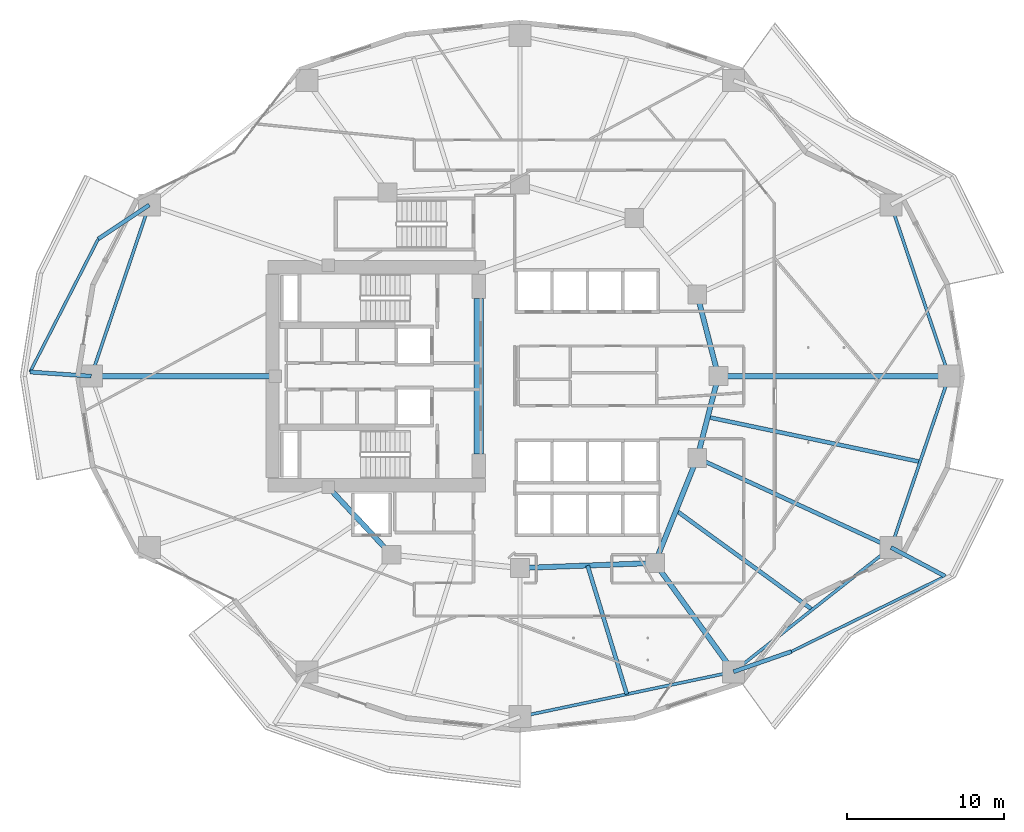
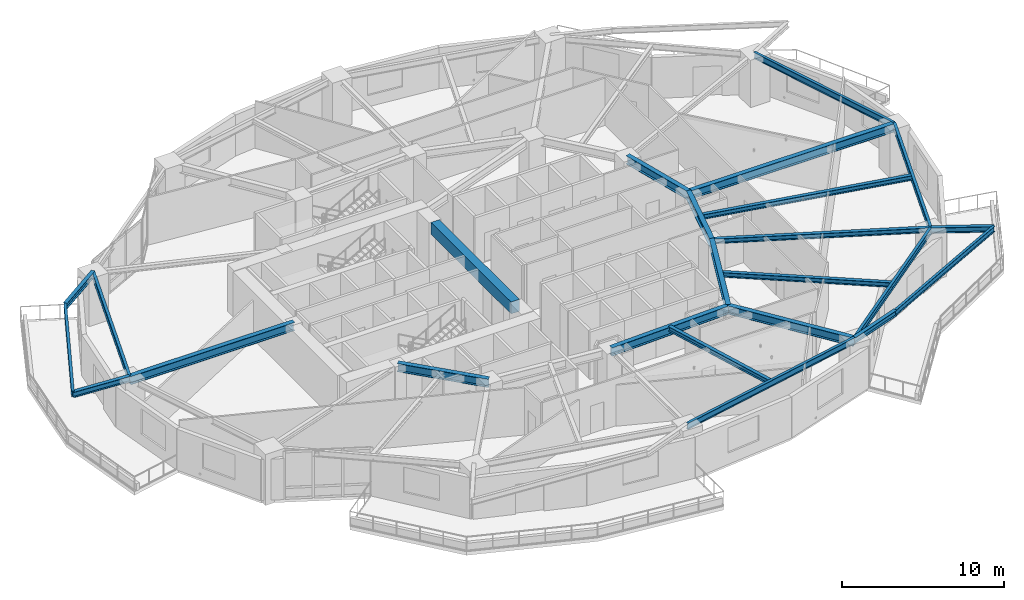
# One storey, part 3 of 19: 24 beams.
"""IFC4 building model written with IfcOpenShell, lengths in metres."""

from ifc_helpers import new_model, si_unit, direction, frame, origin, origin_2d, place, context, subcontext, project, spatial, rectangle, i_section, extrude, material, material_profile, profile_set, type_object, element, save


model = new_model("IFC4")

# Units and contexts
model_context = context("Model", 3, precision=1e-05, world=origin(), true_north=direction((0.0, 1.0)))
body_context = subcontext(model_context, "Body", "Model", "MODEL_VIEW")
ifc_project = project(units=[si_unit("LENGTHUNIT", "METRE"), si_unit("AREAUNIT", "SQUARE_METRE"), si_unit("VOLUMEUNIT", "CUBIC_METRE"), si_unit("PLANEANGLEUNIT", "RADIAN"), si_unit("MASSUNIT", "GRAM", prefix="KILO")], contexts=[model_context])

# Site, building, storey
site_placement = place(None, origin())
site = spatial("IfcSite", under=ifc_project, at=site_placement, CompositionType="ELEMENT")
building_placement = place(site_placement, origin())
building = spatial("IfcBuilding", under=site, at=building_placement, Name="Kolvaren Gate Tower and Convention Centre", CompositionType="ELEMENT")
storey_placement = place(building_placement, frame((0.0, 0.0, 38.050048828125)))
storey = spatial("IfcBuildingStorey", under=building, at=storey_placement, Name="L08", CompositionType="ELEMENT", Elevation=38.050048828125)

# Beams
ifc_material_1 = material(Name="Structural steel ASTM A992 Grade 345 MPa", Category="steel")
ifc_material_profile_1 = material_profile(ifc_material_1, i_section(OverallWidth=0.260009765625, OverallDepth=0.419921875, WebThickness=0.013427734375, FlangeThickness=0.0224609375, at=origin_2d()), Name="W410X132")
ifc_profile_set_1 = profile_set([ifc_material_profile_1], Name="Structural steel ASTM A992 Grade 345 MPa")
beam_type_1 = type_object("IfcBeamType", Name="STR-BM-W410X132", PredefinedType="BEAM", material=ifc_profile_set_1)
beam_1_placement = place(storey_placement, frame((6.539794921875, 37.8935546875, 3.3603515625), z_axis=(-0.831587723286, -0.555393426753, 0.0), x_axis=(0.555393426753, -0.831587723286, 0.0)))
element("IfcBeam", 1, at=beam_1_placement, inside=storey, type_object=beam_type_1, Name="Tower L09 Planted Balcony Outrigger Cantilever BC-2A", PredefinedType="BEAM", context=body_context, shape_type="SweptSolid", body=[
    extrude(i_section(OverallWidth=0.260009765625, OverallDepth=0.419921875, WebThickness=0.013427734375, FlangeThickness=0.0224609375, at=origin_2d()), origin(), (0.0, 0.0, 1.0), 3.89990234375),
])
beam_2_placement = place(storey_placement, frame((2.85009765625, 27.0, 3.3603515625), z_axis=(-0.997678089324, 0.068106020905, 0.0), x_axis=(-0.068106020905, -0.997678089324, 0.0)))
element("IfcBeam", 2, at=beam_2_placement, inside=storey, type_object=beam_type_1, Name="Tower L09 Planted Balcony Outrigger Cantilever BC-2B", PredefinedType="BEAM", context=body_context, shape_type="SweptSolid", body=[
    extrude(i_section(OverallWidth=0.260009765625, OverallDepth=0.419921875, WebThickness=0.013427734375, FlangeThickness=0.0224609375, at=origin_2d()), origin(), (0.0, 0.0, 1.0), 3.900146484375),
])
beam_3_placement = place(storey_placement, frame((43.690185546875, 8.20361328125, 3.3603515625), z_axis=(0.943988090262, 0.329979522765, 0.0), x_axis=(-0.329979522765, 0.943988090262, 0.0)))
element("IfcBeam", 3, at=beam_3_placement, inside=storey, type_object=beam_type_1, Name="Tower L09 Planted Balcony Outrigger Cantilever BC-4A", PredefinedType="BEAM", context=body_context, shape_type="SweptSolid", body=[
    extrude(i_section(OverallWidth=0.260009765625, OverallDepth=0.419921875, WebThickness=0.013427734375, FlangeThickness=0.0224609375, at=origin_2d()), origin(), (0.0, 0.0, 1.0), 3.89990234375),
])
beam_4_placement = place(storey_placement, frame((53.710205078125, 16.1064453125, 3.3603515625), z_axis=(0.882875702385, -0.469606744136, 0.0), x_axis=(0.469606744136, 0.882875702385, 0.0)))
element("IfcBeam", 4, at=beam_4_placement, inside=storey, type_object=beam_type_1, Name="Tower L09 Planted Balcony Outrigger Cantilever BC-4B", PredefinedType="BEAM", context=body_context, shape_type="SweptSolid", body=[
    extrude(i_section(OverallWidth=0.260009765625, OverallDepth=0.419921875, WebThickness=0.013427734375, FlangeThickness=0.0224609375, at=origin_2d()), origin(), (0.0, 0.0, 1.0), 3.900146484375),
])
ifc_material_profile_2 = material_profile(ifc_material_1, i_section(OverallWidth=0.327880859375, OverallDepth=0.6279296875, WebThickness=0.0166015625, FlangeThickness=0.027587890625, at=origin_2d()), Name="W610X217")
ifc_profile_set_2 = profile_set([ifc_material_profile_2], Name="Structural steel ASTM A992 Grade 345 MPa")
beam_type_2 = type_object("IfcBeamType", Name="STR-BM-W610X217", PredefinedType="BEAM", material=ifc_profile_set_2)
beam_5_placement = place(storey_placement, frame((42.72509765625, 27.0, 3.255859375), z_axis=(-0.250091133936, -0.968222301296, 0.0), x_axis=(0.968222301296, -0.250091133936, 0.0)))
element("IfcBeam", 5, at=beam_5_placement, inside=storey, type_object=beam_type_2, Name="Tower L08 Primary Ring Girder G-01", PredefinedType="BEAM", context=body_context, shape_type="SweptSolid", body=[
    extrude(i_section(OverallWidth=0.327880859375, OverallDepth=0.6279296875, WebThickness=0.0166015625, FlangeThickness=0.027587890625, at=origin_2d()), origin(), (0.0, 0.0, 1.0), 5.3701171875),
])
beam_6_placement = place(storey_placement, frame((17.9140625, 19.949951171875, 3.255859375), z_axis=(0.682557592987, -0.730831808459, 0.0), x_axis=(0.730831808459, 0.682557592987, 0.0)))
element("IfcBeam", 6, at=beam_6_placement, inside=storey, type_object=beam_type_2, Name="Tower L08 Primary Ring Girder G-06", PredefinedType="BEAM", context=body_context, shape_type="SweptSolid", body=[
    extrude(i_section(OverallWidth=0.327880859375, OverallDepth=0.6279296875, WebThickness=0.0166015625, FlangeThickness=0.027587890625, at=origin_2d()), origin(), (0.0, 0.0, 1.0), 5.88671875),
])
beam_7_placement = place(storey_placement, frame((30.125, 14.800048828125, 3.255859375), z_axis=(0.999301712453, 0.037364254142, 0.0), x_axis=(-0.037364254142, 0.999301712453, 0.0)))
element("IfcBeam", 7, at=beam_7_placement, inside=storey, type_object=beam_type_2, Name="Tower L08 Primary Ring Girder G-08", PredefinedType="BEAM", context=body_context, shape_type="SweptSolid", body=[
    extrude(i_section(OverallWidth=0.327880859375, OverallDepth=0.6279296875, WebThickness=0.0166015625, FlangeThickness=0.027587890625, at=origin_2d()), origin(), (0.0, 0.0, 1.0), 8.579345703125),
])
beam_8_placement = place(storey_placement, frame((38.6982421875, 15.12060546875, 3.255859375), z_axis=(0.372811100169, 0.927907260232, 0.0), x_axis=(-0.927907260232, 0.372811100169, 0.0)))
element("IfcBeam", 8, at=beam_8_placement, inside=storey, type_object=beam_type_2, Name="Tower L08 Primary Ring Girder G-09", PredefinedType="BEAM", context=body_context, shape_type="SweptSolid", body=[
    extrude(i_section(OverallWidth=0.327880859375, OverallDepth=0.6279296875, WebThickness=0.0166015625, FlangeThickness=0.027587890625, at=origin_2d()), origin(), (0.0, 0.0, 1.0), 7.198974609375),
])
beam_9_placement = place(storey_placement, frame((42.72509765625, 27.0, 3.255859375), z_axis=(-0.250091133936, 0.968222301296, 0.0), x_axis=(-0.968222301296, -0.250091133936, 0.0)))
element("IfcBeam", 9, at=beam_9_placement, inside=storey, type_object=beam_type_2, Name="Tower L08 Primary Ring Girder G-12", PredefinedType="BEAM", context=body_context, shape_type="SweptSolid", body=[
    extrude(i_section(OverallWidth=0.327880859375, OverallDepth=0.6279296875, WebThickness=0.0166015625, FlangeThickness=0.027587890625, at=origin_2d()), origin(), (0.0, 0.0, 1.0), 5.3701171875),
])
beam_10_placement = place(storey_placement, frame((42.72509765625, 27.0, 3.255859375), z_axis=(1.0, 0.0, 0.0), x_axis=(0.0, 1.0, 0.0)))
element("IfcBeam", 10, at=beam_10_placement, inside=storey, type_object=beam_type_2, Name="Tower L08 Radial Floor Girder RB-01", PredefinedType="BEAM", context=body_context, shape_type="SweptSolid", body=[
    extrude(i_section(OverallWidth=0.327880859375, OverallDepth=0.6279296875, WebThickness=0.0166015625, FlangeThickness=0.027587890625, at=origin_2d()), origin(), (0.0, 0.0, 1.0), 14.6748046875),
])
beam_11_placement = place(storey_placement, frame((14.550048828125, 27.0, 3.255859375), z_axis=(-1.0, 0.0, 0.0), x_axis=(0.0, -1.0, 0.0)))
element("IfcBeam", 11, at=beam_11_placement, inside=storey, type_object=beam_type_2, Name="Tower L08 Radial Floor Girder RB-07", PredefinedType="BEAM", context=body_context, shape_type="SweptSolid", body=[
    extrude(i_section(OverallWidth=0.327880859375, OverallDepth=0.6279296875, WebThickness=0.0166015625, FlangeThickness=0.027587890625, at=origin_2d()), origin(), (0.0, 0.0, 1.0), 11.699951171875),
])
beam_12_placement = place(storey_placement, frame((38.6982421875, 15.12060546875, 3.255859375), z_axis=(0.585208374732, -0.810882949718, 0.0), x_axis=(0.810882949718, 0.585208374732, 0.0)))
element("IfcBeam", 12, at=beam_12_placement, inside=storey, type_object=beam_type_2, Name="Tower L08 Radial Floor Girder RB-11", PredefinedType="BEAM", context=body_context, shape_type="SweptSolid", body=[
    extrude(i_section(OverallWidth=0.327880859375, OverallDepth=0.6279296875, WebThickness=0.0166015625, FlangeThickness=0.027587890625, at=origin_2d()), origin(), (0.0, 0.0, 1.0), 8.5302734375),
])
ifc_material_profile_3 = material_profile(ifc_material_1, i_section(OverallWidth=0.2548828125, OverallDepth=0.35693359375, WebThickness=0.010498046875, FlangeThickness=0.018310546875, at=origin_2d()), Name="W360X101")
ifc_profile_set_3 = profile_set([ifc_material_profile_3], Name="Structural steel ASTM A992 Grade 345 MPa")
beam_type_3 = type_object("IfcBeamType", Name="STR-JS-W360X101", PredefinedType="JOIST", material=ifc_profile_set_3)
beam_13_placement = place(storey_placement, frame((41.382080078125, 21.800537109375, 3.391357421875), z_axis=(0.907842006347, -0.419312403241, 0.0), x_axis=(0.419312403241, 0.907842006347, 0.0)))
element("IfcBeam", 13, at=beam_13_placement, inside=storey, type_object=beam_type_3, Name="Tower L08 Radial Floor Girder RB-12", PredefinedType="JOIST", context=body_context, shape_type="SweptSolid", body=[
    extrude(i_section(OverallWidth=0.2548828125, OverallDepth=0.35693359375, WebThickness=0.010498046875, FlangeThickness=0.018310546875, at=origin_2d()), origin(), (0.0, 0.0, 1.0), 13.57958984375),
])
beam_14_placement = place(storey_placement, frame((34.41162109375, 14.960205078125, 3.391357421875), z_axis=(0.291750890749, -0.956494337541, 0.0), x_axis=(0.956494337541, 0.291750890749, 0.0)))
element("IfcBeam", 14, at=beam_14_placement, inside=storey, type_object=beam_type_3, Name="Tower L08 Secondary Composite Floor Joist J-10.1", PredefinedType="JOIST", context=body_context, shape_type="SweptSolid", body=[
    extrude(i_section(OverallWidth=0.2548828125, OverallDepth=0.35693359375, WebThickness=0.010498046875, FlangeThickness=0.018310546875, at=origin_2d()), origin(), (0.0, 0.0, 1.0), 8.5556640625),
])
beam_15_placement = place(storey_placement, frame((40.040283203125, 18.46044921875, 3.391357421875), z_axis=(0.808411716387, -0.588617445212, 0.0), x_axis=(0.588617445212, 0.808411716387, 0.0)))
element("IfcBeam", 15, at=beam_15_placement, inside=storey, type_object=beam_type_3, Name="Tower L08 Secondary Composite Floor Joist J-11.1", PredefinedType="JOIST", context=body_context, shape_type="SweptSolid", body=[
    extrude(i_section(OverallWidth=0.2548828125, OverallDepth=0.35693359375, WebThickness=0.010498046875, FlangeThickness=0.018310546875, at=origin_2d()), origin(), (0.0, 0.0, 1.0), 10.712158203125),
])
beam_16_placement = place(storey_placement, frame((42.0537109375, 24.400146484375, 3.391357421875), z_axis=(0.978483842038, -0.206323461756, 0.0), x_axis=(0.206323461756, 0.978483842038, 0.0)))
element("IfcBeam", 16, at=beam_16_placement, inside=storey, type_object=beam_type_3, Name="Tower L08 Secondary Composite Floor Joist J-12.1", PredefinedType="JOIST", context=body_context, shape_type="SweptSolid", body=[
    extrude(i_section(OverallWidth=0.2548828125, OverallDepth=0.35693359375, WebThickness=0.010498046875, FlangeThickness=0.018310546875, at=origin_2d()), origin(), (0.0, 0.0, 1.0), 13.79833984375),
])
ifc_material_2 = material(Name="Concrete C60/75", Category="concrete")
ifc_material_profile_4 = material_profile(ifc_material_2, rectangle(XDim=0.60009765625, YDim=0.89990234375, at=origin_2d()), Name="RC-BM-600X900")
ifc_profile_set_4 = profile_set([ifc_material_profile_4], Name="Concrete C60/75")
beam_type_4 = type_object("IfcBeamType", Name="STR-LN-RC600X900", PredefinedType="LINTEL", material=ifc_profile_set_4)
beam_17_placement = place(storey_placement, frame((27.5, 22.050048828125, 3.119873046875), z_axis=(0.0, 1.0, 0.0), x_axis=(-1.0, 0.0, 0.0)))
element("IfcBeam", 17, at=beam_17_placement, inside=storey, type_object=beam_type_4, Name="Tower L08 Core Ductile Coupling Beam CB-01", PredefinedType="LINTEL", context=body_context, shape_type="SweptSolid", body=[
    extrude(rectangle(XDim=0.60009765625, YDim=0.89990234375, at=origin_2d()), origin(), (0.0, 0.0, 1.0), 9.89990234375),
])
ifc_material_profile_5 = material_profile(ifc_material_1, i_section(OverallWidth=0.180908203125, OverallDepth=0.4169921875, WebThickness=0.010986328125, FlangeThickness=0.018310546875, at=origin_2d()), Name="W410X85")
ifc_profile_set_5 = profile_set([ifc_material_profile_5], Name="Structural steel ASTM A992 Grade 345 MPa")
beam_type_5 = type_object("IfcBeamType", Name="STR-SP-W410X85", PredefinedType="SPANDREL", material=ifc_profile_set_5)
beam_18_placement = place(storey_placement, frame((3.296630859375, 35.7275390625, 3.362060546875), z_axis=(-0.456167042061, -0.889894167717, 0.0), x_axis=(0.889894167717, -0.456167042061, 0.0)))
element("IfcBeam", 18, at=beam_18_placement, inside=storey, type_object=beam_type_5, Name="Tower L09 Planted Balcony Header Tie Beam BT-2", PredefinedType="SPANDREL", context=body_context, shape_type="SweptSolid", body=[
    extrude(i_section(OverallWidth=0.180908203125, OverallDepth=0.4169921875, WebThickness=0.010986328125, FlangeThickness=0.018310546875, at=origin_2d()), origin(), (0.0, 0.0, 1.0), 9.5087890625),
])
beam_19_placement = place(storey_placement, frame((47.37158203125, 9.490478515625, 3.362060546875), z_axis=(0.898307480686, 0.43936735216, 0.0), x_axis=(-0.43936735216, 0.898307480686, 0.0)))
element("IfcBeam", 19, at=beam_19_placement, inside=storey, type_object=beam_type_5, Name="Tower L09 Planted Balcony Header Tie Beam BT-4", PredefinedType="SPANDREL", context=body_context, shape_type="SweptSolid", body=[
    extrude(i_section(OverallWidth=0.180908203125, OverallDepth=0.4169921875, WebThickness=0.010986328125, FlangeThickness=0.018310546875, at=origin_2d()), origin(), (0.0, 0.0, 1.0), 10.889404296875),
])
ifc_material_profile_6 = material_profile(ifc_material_1, i_section(OverallWidth=0.194091796875, OverallDepth=0.468994140625, WebThickness=0.0126953125, FlangeThickness=0.0205078125, at=origin_2d()), Name="W460X106")
ifc_profile_set_6 = profile_set([ifc_material_profile_6], Name="Structural steel ASTM A992 Grade 345 MPa")
beam_type_6 = type_object("IfcBeamType", Name="STR-SP-W460X106", PredefinedType="SPANDREL", material=ifc_profile_set_6)
for number, where, z_axis, x_axis, name in (
    (20, (57.39990234375, 27.0, 3.33544921875), (-0.320802733798, 0.947146032029, 0.0), (-0.947146032029, -0.320802733798, 0.0), "Tower L08 Perimeter Spandrel Beam SP-01"),
    (21, (6.539794921875, 37.8935546875, 3.33544921875), (-0.320802733798, -0.947146032029, 0.0), (0.947146032029, -0.320802733798, 0.0), "Tower L08 Perimeter Spandrel Beam SP-06"),
):
    element("IfcBeam", number, at=place(storey_placement, frame(where, z_axis=z_axis, x_axis=x_axis)), inside=storey, type_object=beam_type_6, Name=name, PredefinedType="SPANDREL", context=body_context, shape_type="SweptSolid", body=[
        extrude(i_section(OverallWidth=0.194091796875, OverallDepth=0.468994140625, WebThickness=0.0126953125, FlangeThickness=0.0205078125, at=origin_2d()), origin(), (0.0, 0.0, 1.0), 11.50146484375),
    ])
beam_20_placement = place(storey_placement, frame((30.125, 5.35009765625, 3.33544921875), z_axis=(0.978583407863, 0.205850707685, 0.0), x_axis=(-0.205850707685, 0.978583407863, 0.0)))
element("IfcBeam", 22, at=beam_20_placement, inside=storey, type_object=beam_type_6, Name="Tower L08 Perimeter Spandrel Beam SP-10", PredefinedType="SPANDREL", context=body_context, shape_type="SweptSolid", body=[
    extrude(i_section(OverallWidth=0.194091796875, OverallDepth=0.468994140625, WebThickness=0.0126953125, FlangeThickness=0.0205078125, at=origin_2d()), origin(), (0.0, 0.0, 1.0), 13.862060546875),
])
beam_21_placement = place(storey_placement, frame((43.690185546875, 8.20361328125, 3.33544921875), z_axis=(0.785176498861, 0.619272044933, 0.0), x_axis=(-0.619272044933, 0.785176498861, 0.0)))
element("IfcBeam", 23, at=beam_21_placement, inside=storey, type_object=beam_type_6, Name="Tower L08 Perimeter Spandrel Beam SP-11", PredefinedType="SPANDREL", context=body_context, shape_type="SweptSolid", body=[
    extrude(i_section(OverallWidth=0.194091796875, OverallDepth=0.468994140625, WebThickness=0.0126953125, FlangeThickness=0.0205078125, at=origin_2d()), origin(), (0.0, 0.0, 1.0), 12.761474609375),
])
beam_22_placement = place(storey_placement, frame((53.710205078125, 16.1064453125, 3.33544921875), z_axis=(0.320802733798, 0.947146032029, 0.0), x_axis=(-0.947146032029, 0.320802733798, 0.0)))
element("IfcBeam", 24, at=beam_22_placement, inside=storey, type_object=beam_type_6, Name="Tower L08 Perimeter Spandrel Beam SP-12", PredefinedType="SPANDREL", context=body_context, shape_type="SweptSolid", body=[
    extrude(i_section(OverallWidth=0.194091796875, OverallDepth=0.468994140625, WebThickness=0.0126953125, FlangeThickness=0.0205078125, at=origin_2d()), origin(), (0.0, 0.0, 1.0), 11.50146484375),
])

save(model, "model.ifc")
